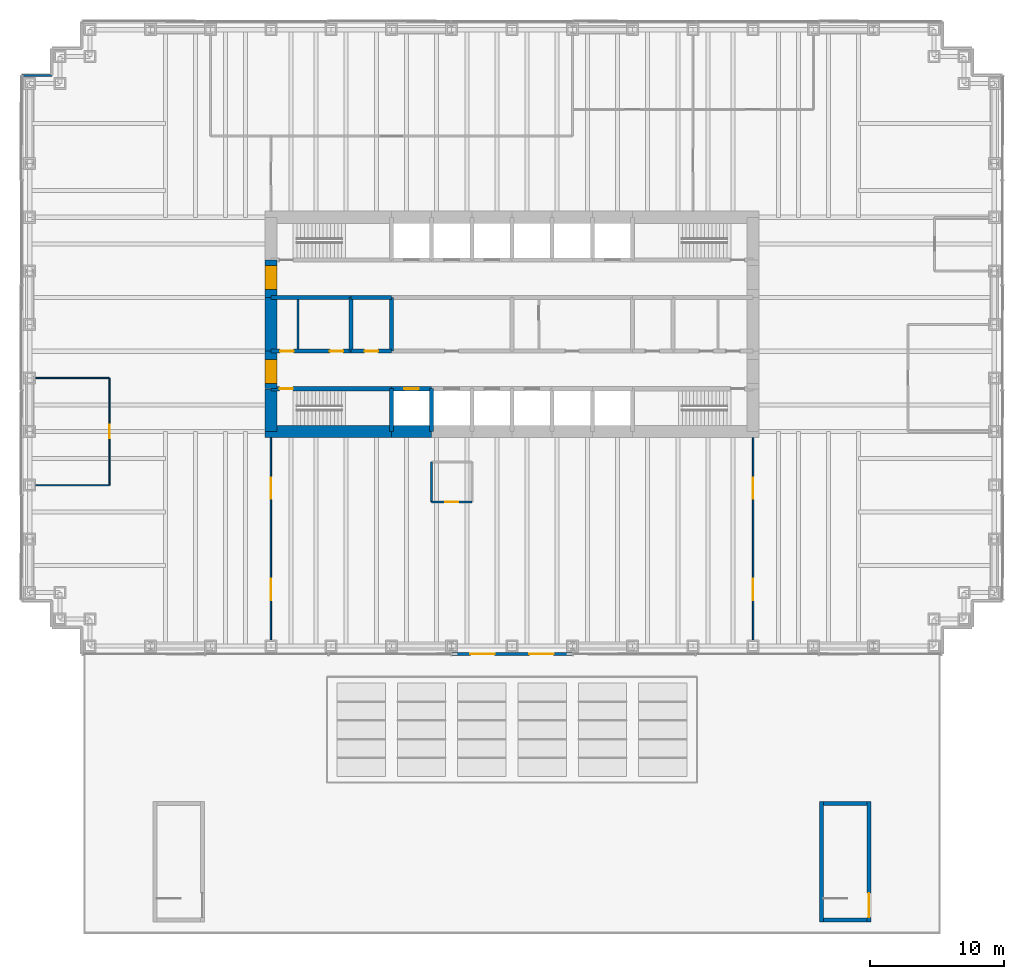
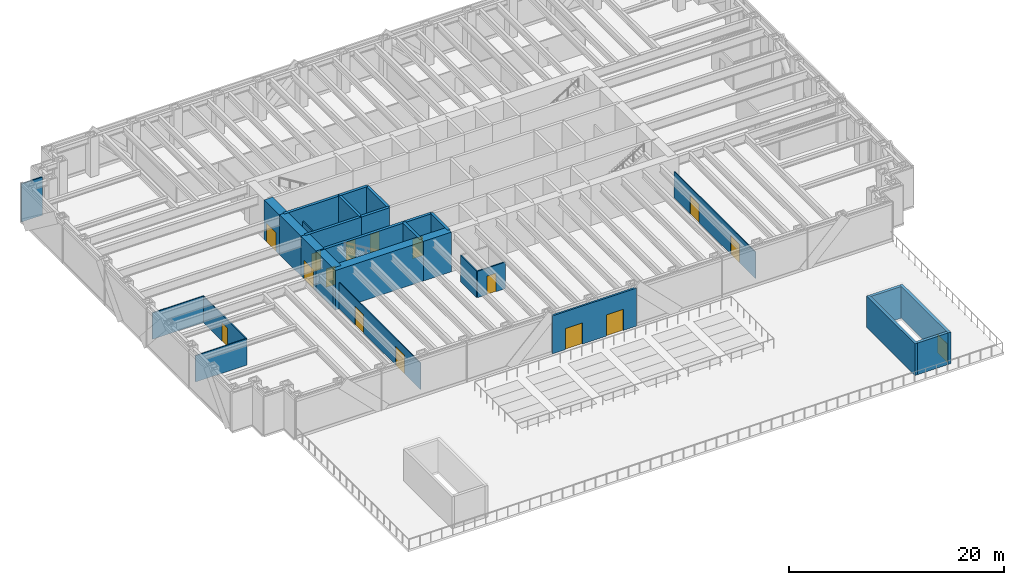
# One storey, part 11 of 15: 30 walls, 16 doors, 16 openings.
"""IFC4 building model written with IfcOpenShell, lengths in metres."""

from ifc_helpers import new_model, si_unit, direction, frame, frame_2d, origin, place, context, subcontext, project, spatial, rectangle, extrude, material, layer, layer_set, type_object, element, fill, save


model = new_model("IFC4")

# Units and contexts
model_context = context("Model", 3, precision=1e-05, world=origin(), true_north=direction((0.0, 1.0)))
body_context = subcontext(model_context, "Body", "Model", "MODEL_VIEW")
ifc_project = project(units=[si_unit("LENGTHUNIT", "METRE"), si_unit("AREAUNIT", "SQUARE_METRE"), si_unit("VOLUMEUNIT", "CUBIC_METRE"), si_unit("PLANEANGLEUNIT", "RADIAN"), si_unit("MASSUNIT", "GRAM", prefix="KILO")], contexts=[model_context])

# Site, building, storey
site_placement = place(None, origin())
site = spatial("IfcSite", under=ifc_project, at=site_placement, CompositionType="ELEMENT")
building_placement = place(site_placement, origin())
building = spatial("IfcBuilding", under=site, at=building_placement, Name="Rheinbord Bourse Tower", CompositionType="ELEMENT")
storey_placement = place(building_placement, frame((0.0, 0.0, 23.0)))
storey = spatial("IfcBuildingStorey", under=building, at=storey_placement, Name="L04", CompositionType="ELEMENT", Elevation=23.0)

# Wall, opening, door
ifc_material_1 = material(Name="Concrete C50/60", Category="concrete")
ifc_layer_1 = layer(ifc_material_1, 0.300048828125)
ifc_layer_set_1 = layer_set([ifc_layer_1], Name="CORE INNER WALL 300")
wall_type_1 = type_object("IfcWallType", Name="CORE INNER WALL 300", PredefinedType="SOLIDWALL", material=ifc_layer_set_1)
wall_1_placement = place(storey_placement, frame((18.0, 19.199951171875, 0.0), z_axis=(0.0, 0.0, 1.0), x_axis=(1.0, 0.0, 0.0)))
wall_1 = element("IfcWall", 1, at=wall_1_placement, inside=storey, type_object=wall_type_1, Name="Core wall A1 L04", PredefinedType="SOLIDWALL", context=body_context, shape_type="SweptSolid", body=[
    extrude(rectangle(XDim=9.0, YDim=0.300048828125, at=frame_2d((4.5, 0.0))), origin(), (0.0, 0.0, 1.0), 4.5),
])
opening_1_placement = place(wall_1_placement, frame((0.64990234375, 0.0, 0.0)))
opening_1 = element("IfcOpeningElement", 2, at=opening_1_placement, cuts=wall_1, Name="Opening 0410", PredefinedType="OPENING", context=body_context, shape_type="SweptSolid", body=[
    extrude(rectangle(XDim=1.0, YDim=2.10009765625, at=frame_2d((0.5, 1.050048828125))), frame((0.0, 0.159912109375, 0.0), z_axis=(0.0, -1.0, 0.0), x_axis=(1.0, 0.0, 0.0)), (0.0, 0.0, 1.0), 0.320068359375),
])
ifc_material_2 = material(Name="Steel door", Category="steel")
door_type_1 = type_object("IfcDoorType", Name="DOOR 1000 EI30", OperationType="SINGLE_SWING_LEFT", PredefinedType="DOOR", material=ifc_material_2)
door_1_placement = place(opening_1_placement, origin())
door_1 = element("IfcDoor", 3, at=door_1_placement, inside=storey, type_object=door_type_1, Name="Stair door ST1 L04", OperationType="SINGLE_SWING_LEFT", OverallHeight=2.10009765625, OverallWidth=1.0, PredefinedType="DOOR", context=body_context, shape_type="SweptSolid", body=[
    extrude(rectangle(XDim=1.0, YDim=2.10009765625, at=frame_2d((0.5, 1.050048828125))), frame((0.0, 0.02490234375, 0.0), z_axis=(0.0, -1.0, 0.0), x_axis=(1.0, 0.0, 0.0)), (0.0, 0.0, 1.0), 0.050048828125),
])
fill(opening_1, door_1)

wall_2_placement = place(storey_placement, frame((27.0, 19.199951171875, 0.0), z_axis=(0.0, 0.0, 1.0), x_axis=(1.0, 0.0, 0.0)))
wall_2 = element("IfcWall", 4, at=wall_2_placement, inside=storey, type_object=wall_type_1, Name="Core wall A2 L04", PredefinedType="SOLIDWALL", context=body_context, shape_type="SweptSolid", body=[
    extrude(rectangle(XDim=3.0, YDim=0.300048828125, at=frame_2d((1.5, 0.0))), origin(), (0.0, 0.0, 1.0), 4.5),
])
opening_2_placement = place(wall_2_placement, frame((0.949951171875, 0.0, 0.0)))
opening_2 = element("IfcOpeningElement", 5, at=opening_2_placement, cuts=wall_2, Name="Opening FL1", PredefinedType="OPENING", context=body_context, shape_type="SweptSolid", body=[
    extrude(rectangle(XDim=1.10009765625, YDim=2.199951171875, at=frame_2d((0.550048828125, 1.10009765625))), frame((0.0, 0.159912109375, 0.0), z_axis=(0.0, -1.0, 0.0), x_axis=(1.0, 0.0, 0.0)), (0.0, 0.0, 1.0), 0.320068359375),
])
ifc_material_3 = material(Name="Steel landing door", Category="steel")
door_type_2 = type_object("IfcDoorType", Name="LIFT LANDING DOOR 1100", OperationType="DOUBLE_DOOR_SLIDING", PredefinedType="USERDEFINED", material=ifc_material_3)
door_2_placement = place(opening_2_placement, origin())
door_2 = element("IfcDoor", 6, at=door_2_placement, inside=storey, type_object=door_type_2, Name="Lift landing door FL1 L04", ObjectType="LIFT LANDING DOOR", OperationType="DOUBLE_DOOR_SLIDING", OverallHeight=2.199951171875, OverallWidth=1.10009765625, PredefinedType="USERDEFINED", context=body_context, shape_type="SweptSolid", body=[
    extrude(rectangle(XDim=1.10009765625, YDim=2.199951171875, at=frame_2d((0.550048828125, 1.10009765625))), frame((0.0, 0.02490234375, 0.0), z_axis=(0.0, -1.0, 0.0), x_axis=(1.0, 0.0, 0.0)), (0.0, 0.0, 1.0), 0.050048828125),
])
fill(opening_2, door_2)

# Wall, openings, doors
wall_3_placement = place(storey_placement, frame((18.0, 22.0, 0.0), z_axis=(0.0, 0.0, 1.0), x_axis=(1.0, 0.0, 0.0)))
wall_3 = element("IfcWall", 7, at=wall_3_placement, inside=storey, type_object=wall_type_1, Name="Core wall C1 L04", PredefinedType="SOLIDWALL", context=body_context, shape_type="SweptSolid", body=[
    extrude(rectangle(XDim=6.0, YDim=0.300048828125, at=frame_2d((3.0, 0.0))), origin(), (0.0, 0.0, 1.0), 4.5),
])
opening_3_placement = place(wall_3_placement, frame((4.39990234375, 0.0, 0.0)))
opening_3 = element("IfcOpeningElement", 8, at=opening_3_placement, cuts=wall_3, Name="Opening 04R1", PredefinedType="OPENING", context=body_context, shape_type="SweptSolid", body=[
    extrude(rectangle(XDim=1.0, YDim=2.10009765625, at=frame_2d((0.5, 1.050048828125))), frame((0.0, 0.159912109375, 0.0), z_axis=(0.0, -1.0, 0.0), x_axis=(1.0, 0.0, 0.0)), (0.0, 0.0, 1.0), 0.320068359375),
])
opening_4_placement = place(wall_3_placement, frame((0.699951171875, 0.0, 0.0)))
opening_4 = element("IfcOpeningElement", 9, at=opening_4_placement, cuts=wall_3, Name="Opening 04R9", PredefinedType="OPENING", context=body_context, shape_type="SweptSolid", body=[
    extrude(rectangle(XDim=1.0, YDim=2.10009765625, at=frame_2d((0.5, 1.050048828125))), frame((0.0, 0.159912109375, 0.0), z_axis=(0.0, -1.0, 0.0), x_axis=(1.0, 0.0, 0.0)), (0.0, 0.0, 1.0), 0.320068359375),
])
door_3_placement = place(opening_4_placement, origin())
door_3 = element("IfcDoor", 10, at=door_3_placement, inside=storey, type_object=door_type_1, Name="Staff shower door L04", OperationType="SINGLE_SWING_LEFT", OverallHeight=2.10009765625, OverallWidth=1.0, PredefinedType="DOOR", context=body_context, shape_type="SweptSolid", body=[
    extrude(rectangle(XDim=1.0, YDim=2.10009765625, at=frame_2d((0.5, 1.050048828125))), frame((0.0, 0.02490234375, 0.0), z_axis=(0.0, -1.0, 0.0), x_axis=(1.0, 0.0, 0.0)), (0.0, 0.0, 1.0), 0.050048828125),
])
fill(opening_4, door_3)
ifc_material_4 = material(Name="Timber door", Category="wood")
door_type_3 = type_object("IfcDoorType", Name="DOOR 1000 WC", OperationType="SINGLE_SWING_LEFT", PredefinedType="DOOR", material=ifc_material_4)
door_4_placement = place(opening_3_placement, origin())
door_4 = element("IfcDoor", 11, at=door_4_placement, inside=storey, type_object=door_type_3, Name="WC men door L04", OperationType="SINGLE_SWING_RIGHT", OverallHeight=2.10009765625, OverallWidth=1.0, PredefinedType="DOOR", context=body_context, shape_type="SweptSolid", body=[
    extrude(rectangle(XDim=1.0, YDim=2.10009765625, at=frame_2d((0.5, 1.050048828125))), frame((0.0, 0.02490234375, 0.0), z_axis=(0.0, -1.0, 0.0), x_axis=(1.0, 0.0, 0.0)), (0.0, 0.0, 1.0), 0.050048828125),
])
fill(opening_3, door_4)

# Wall, opening, door
wall_4_placement = place(storey_placement, frame((24.0, 22.0, 0.0), z_axis=(0.0, 0.0, 1.0), x_axis=(1.0, 0.0, 0.0)))
wall_4 = element("IfcWall", 12, at=wall_4_placement, inside=storey, type_object=wall_type_1, Name="Core wall C2 L04", PredefinedType="SOLIDWALL", context=body_context, shape_type="SweptSolid", body=[
    extrude(rectangle(XDim=3.0, YDim=0.300048828125, at=frame_2d((1.5, 0.0))), origin(), (0.0, 0.0, 1.0), 4.5),
])
opening_5_placement = place(wall_4_placement, frame((1.0, 0.0, 0.0)))
opening_5 = element("IfcOpeningElement", 13, at=opening_5_placement, cuts=wall_4, Name="Opening 04R2", PredefinedType="OPENING", context=body_context, shape_type="SweptSolid", body=[
    extrude(rectangle(XDim=1.0, YDim=2.10009765625, at=frame_2d((0.5, 1.050048828125))), frame((0.0, 0.159912109375, 0.0), z_axis=(0.0, -1.0, 0.0), x_axis=(1.0, 0.0, 0.0)), (0.0, 0.0, 1.0), 0.320068359375),
])
door_5_placement = place(opening_5_placement, origin())
door_5 = element("IfcDoor", 14, at=door_5_placement, inside=storey, type_object=door_type_3, Name="Shower and accessible WC door L04", OperationType="SINGLE_SWING_LEFT", OverallHeight=2.10009765625, OverallWidth=1.0, PredefinedType="DOOR", context=body_context, shape_type="SweptSolid", body=[
    extrude(rectangle(XDim=1.0, YDim=2.10009765625, at=frame_2d((0.5, 1.050048828125))), frame((0.0, 0.02490234375, 0.0), z_axis=(0.0, -1.0, 0.0), x_axis=(1.0, 0.0, 0.0)), (0.0, 0.0, 1.0), 0.050048828125),
])
fill(opening_5, door_5)

# Walls
wall_5_placement = place(storey_placement, frame((18.0, 26.0, 0.0), z_axis=(0.0, 0.0, 1.0), x_axis=(1.0, 0.0, 0.0)))
element("IfcWall", 15, at=wall_5_placement, inside=storey, type_object=wall_type_1, Name="Core wall D1 L04", PredefinedType="SOLIDWALL", context=body_context, shape_type="SweptSolid", body=[
    extrude(rectangle(XDim=6.0, YDim=0.300048828125, at=frame_2d((3.0, 0.0))), origin(), (0.0, 0.0, 1.0), 4.5),
])
wall_6_placement = place(storey_placement, frame((24.0, 26.0, 0.0), z_axis=(0.0, 0.0, 1.0), x_axis=(1.0, 0.0, 0.0)))
element("IfcWall", 16, at=wall_6_placement, inside=storey, type_object=wall_type_1, Name="Core wall D2 L04", PredefinedType="SOLIDWALL", context=body_context, shape_type="SweptSolid", body=[
    extrude(rectangle(XDim=3.0, YDim=0.300048828125, at=frame_2d((1.5, 0.0))), origin(), (0.0, 0.0, 1.0), 4.5),
])
for number, where, z_axis, x_axis, name in (
    (17, (27.0, 16.0, 0.0), (0.0, 0.0, 1.0), (0.0, 1.0, 0.0), "Core wall SX27 L04"),
    (18, (30.0, 16.0, 0.0), (0.0, 0.0, 1.0), (0.0, 1.0, 0.0), "Core wall SX30 L04"),
):
    element("IfcWall", number, at=place(storey_placement, frame(where, z_axis=z_axis, x_axis=x_axis)), inside=storey, type_object=wall_type_1, Name=name, PredefinedType="SOLIDWALL", context=body_context, shape_type="SweptSolid", body=[
        extrude(rectangle(XDim=3.199951171875, YDim=0.300048828125, at=frame_2d((1.60009765625, 0.0))), origin(), (0.0, 0.0, 1.0), 4.5),
    ])
for number, where, z_axis, x_axis, name in (
    (19, (24.0, 22.0, 0.0), (0.0, 0.0, 1.0), (0.0, 1.0, 0.0), "Core wall MX24 L04"),
    (20, (27.0, 22.0, 0.0), (0.0, 0.0, 1.0), (0.0, 1.0, 0.0), "Core wall MX27 L04"),
):
    element("IfcWall", number, at=place(storey_placement, frame(where, z_axis=z_axis, x_axis=x_axis)), inside=storey, type_object=wall_type_1, Name=name, PredefinedType="SOLIDWALL", context=body_context, shape_type="SweptSolid", body=[
        extrude(rectangle(XDim=4.0, YDim=0.300048828125, at=frame_2d((2.0, 0.0))), origin(), (0.0, 0.0, 1.0), 4.5),
    ])
ifc_material_5 = material(Name="Gypsum board fire partition", Category="gypsum board")
ifc_layer_2 = layer(ifc_material_5, 0.14990234375)
ifc_layer_set_2 = layer_set([ifc_layer_2], Name="CORE PARTITION 150 EI30")
wall_type_2 = type_object("IfcWallType", Name="CORE PARTITION 150 EI30", PredefinedType="PARTITIONING", material=ifc_layer_set_2)
wall_7_placement = place(storey_placement, frame((20.02490234375, 22.14990234375, 0.0), z_axis=(0.0, 0.0, 1.0), x_axis=(0.0, 1.0, 0.0)))
element("IfcWall", 21, at=wall_7_placement, inside=storey, type_object=wall_type_2, Name="Core partition L04-2", PredefinedType="PARTITIONING", context=body_context, shape_type="SweptSolid", body=[
    extrude(rectangle(XDim=3.7001953125, YDim=0.14990234375, at=frame_2d((1.85009765625, 0.0))), origin(), (0.0, 0.0, 1.0), 3.0),
])
ifc_material_6 = material(Name="Concrete C50/60", Category="concrete")
ifc_layer_3 = layer(ifc_material_6, 0.89990234375)
ifc_layer_set_3 = layer_set([ifc_layer_3], Name="CORE WALL 900")
wall_type_3 = type_object("IfcWallType", Name="CORE WALL 900", PredefinedType="SHEAR", material=ifc_layer_set_3)
wall_8_placement = place(storey_placement, frame((17.550048828125, 16.0, 0.0), z_axis=(0.0, 0.0, 1.0), x_axis=(1.0, 0.0, 0.0)))
element("IfcWall", 22, at=wall_8_placement, inside=storey, type_object=wall_type_3, Name="Core wall S1 L04", PredefinedType="SHEAR", context=body_context, shape_type="SweptSolid", body=[
    extrude(rectangle(XDim=9.449951171875, YDim=0.89990234375, at=frame_2d((4.72509765625, 0.0))), origin(), (0.0, 0.0, 1.0), 4.5),
])
wall_9_placement = place(storey_placement, frame((27.0, 16.0, 0.0), z_axis=(0.0, 0.0, 1.0), x_axis=(1.0, 0.0, 0.0)))
element("IfcWall", 23, at=wall_9_placement, inside=storey, type_object=wall_type_3, Name="Core wall S2 L04", PredefinedType="SHEAR", context=body_context, shape_type="SweptSolid", body=[
    extrude(rectangle(XDim=3.0, YDim=0.89990234375, at=frame_2d((1.5, 0.0))), origin(), (0.0, 0.0, 1.0), 4.5),
])

# Wall, opening, door
wall_10_placement = place(storey_placement, frame((18.0, 28.800048828125, 0.0), z_axis=(0.0, 0.0, 1.0), x_axis=(0.0, -1.0, 0.0)))
wall_10 = element("IfcWall", 24, at=wall_10_placement, inside=storey, type_object=wall_type_3, Name="Core wall W2 L04", PredefinedType="SHEAR", context=body_context, shape_type="SweptSolid", body=[
    extrude(rectangle(XDim=2.800048828125, YDim=0.89990234375, at=frame_2d((1.39990234375, 0.0))), origin(), (0.0, 0.0, 1.0), 4.5),
])
opening_6_placement = place(wall_10_placement, frame((0.39990234375, 0.0, 0.0)))
opening_6 = element("IfcOpeningElement", 25, at=opening_6_placement, cuts=wall_10, Name="Opening 04L2", PredefinedType="OPENING", context=body_context, shape_type="SweptSolid", body=[
    extrude(rectangle(XDim=1.800048828125, YDim=2.10009765625, at=frame_2d((0.89990234375, 1.050048828125))), frame((0.0, 0.4599609375, 0.0), z_axis=(0.0, -1.0, 0.0), x_axis=(1.0, 0.0, 0.0)), (0.0, 0.0, 1.0), 0.919921875),
])
ifc_material_7 = material(Name="Steel door", Category="steel")
door_type_4 = type_object("IfcDoorType", Name="DOOR 1800 EI30 DOUBLE", OperationType="DOUBLE_DOOR_DOUBLE_SWING", PredefinedType="DOOR", material=ifc_material_7)
door_6_placement = place(opening_6_placement, origin())
door_6 = element("IfcDoor", 26, at=door_6_placement, inside=storey, type_object=door_type_4, Name="Lobby door 2 L04", OperationType="SINGLE_SWING_LEFT", OverallHeight=2.10009765625, OverallWidth=1.800048828125, PredefinedType="DOOR", context=body_context, shape_type="SweptSolid", body=[
    extrude(rectangle(XDim=1.800048828125, YDim=2.10009765625, at=frame_2d((0.89990234375, 1.050048828125))), frame((0.0, 0.44970703125, 0.0), z_axis=(0.0, -1.0, 0.0), x_axis=(1.0, 0.0, 0.0)), (0.0, 0.0, 1.0), 0.8994140625),
])
fill(opening_6, door_6)

# Wall
wall_11_placement = place(storey_placement, frame((18.0, 26.0, 0.0), z_axis=(0.0, 0.0, 1.0), x_axis=(0.0, -1.0, 0.0)))
element("IfcWall", 27, at=wall_11_placement, inside=storey, type_object=wall_type_3, Name="Core wall W3 L04", PredefinedType="SHEAR", context=body_context, shape_type="SweptSolid", body=[
    extrude(rectangle(XDim=4.0, YDim=0.89990234375, at=frame_2d((2.0, 0.0))), origin(), (0.0, 0.0, 1.0), 4.5),
])

# Wall, opening, door
wall_12_placement = place(storey_placement, frame((18.0, 22.0, 0.0), z_axis=(0.0, 0.0, 1.0), x_axis=(0.0, -1.0, 0.0)))
wall_12 = element("IfcWall", 28, at=wall_12_placement, inside=storey, type_object=wall_type_3, Name="Core wall W4 L04", PredefinedType="SHEAR", context=body_context, shape_type="SweptSolid", body=[
    extrude(rectangle(XDim=2.800048828125, YDim=0.89990234375, at=frame_2d((1.39990234375, 0.0))), origin(), (0.0, 0.0, 1.0), 4.5),
])
opening_7_placement = place(wall_12_placement, frame((0.60009765625, 0.0, 0.0)))
opening_7 = element("IfcOpeningElement", 29, at=opening_7_placement, cuts=wall_12, Name="Opening 04L1", PredefinedType="OPENING", context=body_context, shape_type="SweptSolid", body=[
    extrude(rectangle(XDim=1.800048828125, YDim=2.10009765625, at=frame_2d((0.89990234375, 1.050048828125))), frame((0.0, 0.4599609375, 0.0), z_axis=(0.0, -1.0, 0.0), x_axis=(1.0, 0.0, 0.0)), (0.0, 0.0, 1.0), 0.919921875),
])
door_7_placement = place(opening_7_placement, origin())
door_7 = element("IfcDoor", 30, at=door_7_placement, inside=storey, type_object=door_type_4, Name="Lobby door 1 L04", OperationType="SINGLE_SWING_LEFT", OverallHeight=2.10009765625, OverallWidth=1.800048828125, PredefinedType="DOOR", context=body_context, shape_type="SweptSolid", body=[
    extrude(rectangle(XDim=1.800048828125, YDim=2.10009765625, at=frame_2d((0.89990234375, 1.050048828125))), frame((0.0, 0.44970703125, 0.0), z_axis=(0.0, -1.0, 0.0), x_axis=(1.0, 0.0, 0.0)), (0.0, 0.0, 1.0), 0.8994140625),
])
fill(opening_7, door_7)

# Walls
wall_13_placement = place(storey_placement, frame((18.0, 19.199951171875, 0.0), z_axis=(0.0, 0.0, 1.0), x_axis=(0.0, -1.0, 0.0)))
element("IfcWall", 31, at=wall_13_placement, inside=storey, type_object=wall_type_3, Name="Core wall W5 L04", PredefinedType="SHEAR", context=body_context, shape_type="SweptSolid", body=[
    extrude(rectangle(XDim=3.199951171875, YDim=0.89990234375, at=frame_2d((1.60009765625, 0.0))), origin(), (0.0, 0.0, 1.0), 4.5),
])
ifc_material_8 = material(Name="Black metal rainscreen panel", Category="aluminium")
ifc_layer_4 = layer(ifc_material_8, 0.14990234375)
ifc_layer_set_4 = layer_set([ifc_layer_4], Name="CORNER PIER CLADDING 150")
wall_type_4 = type_object("IfcWallType", Name="CORNER PIER CLADDING 150", PredefinedType="ELEMENTEDWALL", material=ifc_layer_set_4)
wall_14_placement = place(storey_placement, frame((1.64990234375, 42.60009765625, 0.0), z_axis=(0.0, 0.0, 1.0), x_axis=(-1.0, 0.0, 0.0)))
element("IfcWall", 32, at=wall_14_placement, inside=storey, type_object=wall_type_4, Name="Corner pier cladding L04 17", PredefinedType="ELEMENTEDWALL", context=body_context, shape_type="SweptSolid", body=[
    extrude(rectangle(XDim=2.25, YDim=0.14990234375, at=frame_2d((1.125, 0.0))), origin(), (0.0, 0.0, 1.0), 4.320068359375),
])

# Wall, openings, doors
ifc_material_9 = material(Name="Dark glass and black steel screen", Category="steel")
ifc_layer_5 = layer(ifc_material_9, 0.199951171875)
ifc_layer_set_5 = layer_set([ifc_layer_5], Name="ENTRANCE SCREEN 200")
wall_type_5 = type_object("IfcWallType", Name="ENTRANCE SCREEN 200", PredefinedType="USERDEFINED", material=ifc_layer_set_5)
wall_15_placement = place(storey_placement, frame((31.5, -0.60009765625, 0.0), z_axis=(0.0, 0.0, 1.0), x_axis=(1.0, 0.0, 0.0)))
wall_15 = element("IfcWall", 33, at=wall_15_placement, inside=storey, type_object=wall_type_5, Name="Entrance screen S L04", ObjectType="GLAZED ENTRANCE SCREEN", PredefinedType="USERDEFINED", context=body_context, shape_type="SweptSolid", body=[
    extrude(rectangle(XDim=9.0, YDim=0.199951171875, at=frame_2d((4.5, 0.0))), origin(), (0.0, 0.0, 1.0), 4.320068359375),
])
opening_8_placement = place(wall_15_placement, frame((1.39990234375, 0.0, 0.0)))
opening_8 = element("IfcOpeningElement", 34, at=opening_8_placement, cuts=wall_15, Name="Opening 04ES101", PredefinedType="OPENING", context=body_context, shape_type="SweptSolid", body=[
    extrude(rectangle(XDim=1.800048828125, YDim=2.39990234375, at=frame_2d((0.89990234375, 1.199951171875))), frame((0.0, 0.10986328125, 0.0), z_axis=(0.0, -1.0, 0.0), x_axis=(1.0, 0.0, 0.0)), (0.0, 0.0, 1.0), 0.219970703125),
])
opening_9_placement = place(wall_15_placement, frame((5.800048828125, 0.0, 0.0)))
opening_9 = element("IfcOpeningElement", 35, at=opening_9_placement, cuts=wall_15, Name="Opening 04ES201", PredefinedType="OPENING", context=body_context, shape_type="SweptSolid", body=[
    extrude(rectangle(XDim=1.800048828125, YDim=2.39990234375, at=frame_2d((0.89990234375, 1.199951171875))), frame((0.0, 0.10986328125, 0.0), z_axis=(0.0, -1.0, 0.0), x_axis=(1.0, 0.0, 0.0)), (0.0, 0.0, 1.0), 0.219970703125),
])
ifc_material_10 = material(Name="Dark glass and black steel door", Category="steel")
door_type_5 = type_object("IfcDoorType", Name="ENTRANCE DOOR 1800", OperationType="DOUBLE_DOOR_DOUBLE_SWING", PredefinedType="DOOR", material=ifc_material_10)
door_8_placement = place(opening_8_placement, origin())
door_8 = element("IfcDoor", 36, at=door_8_placement, inside=storey, type_object=door_type_5, Name="Terrace door S", OperationType="SINGLE_SWING_LEFT", OverallHeight=2.39990234375, OverallWidth=1.800048828125, PredefinedType="DOOR", context=body_context, shape_type="SweptSolid", body=[
    extrude(rectangle(XDim=1.800048828125, YDim=2.39990234375, at=frame_2d((0.89990234375, 1.199951171875))), frame((0.0, 0.02490234375, 0.0), z_axis=(0.0, -1.0, 0.0), x_axis=(1.0, 0.0, 0.0)), (0.0, 0.0, 1.0), 0.050048828125),
])
fill(opening_8, door_8)
door_9_placement = place(opening_9_placement, origin())
door_9 = element("IfcDoor", 37, at=door_9_placement, inside=storey, type_object=door_type_5, Name="Terrace door S", OperationType="SINGLE_SWING_LEFT", OverallHeight=2.39990234375, OverallWidth=1.800048828125, PredefinedType="DOOR", context=body_context, shape_type="SweptSolid", body=[
    extrude(rectangle(XDim=1.800048828125, YDim=2.39990234375, at=frame_2d((0.89990234375, 1.199951171875))), frame((0.0, 0.02490234375, 0.0), z_axis=(0.0, -1.0, 0.0), x_axis=(1.0, 0.0, 0.0)), (0.0, 0.0, 1.0), 0.050048828125),
])
fill(opening_9, door_9)

# Walls
ifc_material_11 = material(Name="Toughened laminated glass partition", Category="glass")
ifc_layer_6 = layer(ifc_material_11, 0.10009765625)
ifc_layer_set_6 = layer_set([ifc_layer_6], Name="GLAZED PARTITION 100")
wall_type_6 = type_object("IfcWallType", Name="GLAZED PARTITION 100", PredefinedType="PARTITIONING", material=ifc_layer_set_6)
for number, where, z_axis, x_axis, name in (
    (38, (0.449951171875, 12.0, 0.0), (0.0, 0.0, 1.0), (1.0, 0.0, 0.0), "Partition L04-02"),
    (39, (0.449951171875, 20.0, 0.0), (0.0, 0.0, 1.0), (1.0, 0.0, 0.0), "Partition L04-05"),
):
    element("IfcWall", number, at=place(storey_placement, frame(where, z_axis=z_axis, x_axis=x_axis)), inside=storey, type_object=wall_type_6, Name=name, PredefinedType="PARTITIONING", context=body_context, shape_type="SweptSolid", body=[
        extrude(rectangle(XDim=5.5, YDim=0.10009765625, at=frame_2d((2.75, 0.0))), origin(), (0.0, 0.0, 1.0), 3.0),
    ])

# Wall, opening, door
wall_16_placement = place(storey_placement, frame((5.949951171875, 12.0, 0.0), z_axis=(0.0, 0.0, 1.0), x_axis=(0.0, 1.0, 0.0)))
wall_16 = element("IfcWall", 40, at=wall_16_placement, inside=storey, type_object=wall_type_6, Name="Partition L04-11", PredefinedType="PARTITIONING", context=body_context, shape_type="SweptSolid", body=[
    extrude(rectangle(XDim=8.0, YDim=0.10009765625, at=frame_2d((4.0, 0.0))), origin(), (0.0, 0.0, 1.0), 3.0),
])
opening_10_placement = place(wall_16_placement, frame((3.5, 0.0, 0.0)))
opening_10 = element("IfcOpeningElement", 41, at=opening_10_placement, cuts=wall_16, Name="Opening 04D02", PredefinedType="OPENING", context=body_context, shape_type="SweptSolid", body=[
    extrude(rectangle(XDim=1.0, YDim=2.10009765625, at=frame_2d((0.5, 1.050048828125))), frame((0.0, 0.06005859375, 0.0), z_axis=(0.0, -1.0, 0.0), x_axis=(1.0, 0.0, 0.0)), (0.0, 0.0, 1.0), 0.1201171875),
])
ifc_material_12 = material(Name="Timber door", Category="wood")
door_type_6 = type_object("IfcDoorType", Name="ROOM DOOR 1000", OperationType="SINGLE_SWING_LEFT", PredefinedType="DOOR", material=ifc_material_12)
door_10_placement = place(opening_10_placement, origin())
door_10 = element("IfcDoor", 42, at=door_10_placement, inside=storey, type_object=door_type_6, Name="Meeting room door L04", OperationType="SINGLE_SWING_LEFT", OverallHeight=2.10009765625, OverallWidth=1.0, PredefinedType="DOOR", context=body_context, shape_type="SweptSolid", body=[
    extrude(rectangle(XDim=1.0, YDim=2.10009765625, at=frame_2d((0.5, 1.050048828125))), frame((0.0, 0.02490234375, 0.0), z_axis=(0.0, -1.0, 0.0), x_axis=(1.0, 0.0, 0.0)), (0.0, 0.0, 1.0), 0.050048828125),
])
fill(opening_10, door_10)

# Wall, openings, doors
wall_17_placement = place(storey_placement, frame((18.0, 0.449951171875, 0.0), z_axis=(0.0, 0.0, 1.0), x_axis=(0.0, 1.0, 0.0)))
wall_17 = element("IfcWall", 43, at=wall_17_placement, inside=storey, type_object=wall_type_6, Name="Partition L04-13", PredefinedType="PARTITIONING", context=body_context, shape_type="SweptSolid", body=[
    extrude(rectangle(XDim=15.10009765625, YDim=0.10009765625, at=frame_2d((7.550048828125, 0.0))), origin(), (0.0, 0.0, 1.0), 3.0),
])
opening_11_placement = place(wall_17_placement, frame((2.97509765625, 0.0, 0.0)))
opening_11 = element("IfcOpeningElement", 44, at=opening_11_placement, cuts=wall_17, Name="Opening 04D08", PredefinedType="OPENING", context=body_context, shape_type="SweptSolid", body=[
    extrude(rectangle(XDim=1.60009765625, YDim=2.10009765625, at=frame_2d((0.800048828125, 1.050048828125))), frame((0.0, 0.06005859375, 0.0), z_axis=(0.0, -1.0, 0.0), x_axis=(1.0, 0.0, 0.0)), (0.0, 0.0, 1.0), 0.1201171875),
])
opening_12_placement = place(wall_17_placement, frame((10.52490234375, 0.0, 0.0)))
opening_12 = element("IfcOpeningElement", 45, at=opening_12_placement, cuts=wall_17, Name="Opening 04D09", PredefinedType="OPENING", context=body_context, shape_type="SweptSolid", body=[
    extrude(rectangle(XDim=1.60009765625, YDim=2.10009765625, at=frame_2d((0.800048828125, 1.050048828125))), frame((0.0, 0.06005859375, 0.0), z_axis=(0.0, -1.0, 0.0), x_axis=(1.0, 0.0, 0.0)), (0.0, 0.0, 1.0), 0.1201171875),
])
ifc_material_13 = material(Name="Timber door", Category="wood")
door_type_7 = type_object("IfcDoorType", Name="DOUBLE ROOM DOOR 1600", OperationType="DOUBLE_DOOR_DOUBLE_SWING", PredefinedType="DOOR", material=ifc_material_13)
door_11_placement = place(opening_11_placement, origin())
door_11 = element("IfcDoor", 46, at=door_11_placement, inside=storey, type_object=door_type_7, Name="Open area door L04", OperationType="SINGLE_SWING_LEFT", OverallHeight=2.10009765625, OverallWidth=1.60009765625, PredefinedType="DOOR", context=body_context, shape_type="SweptSolid", body=[
    extrude(rectangle(XDim=1.60009765625, YDim=2.10009765625, at=frame_2d((0.800048828125, 1.050048828125))), frame((0.0, 0.02490234375, 0.0), z_axis=(0.0, -1.0, 0.0), x_axis=(1.0, 0.0, 0.0)), (0.0, 0.0, 1.0), 0.050048828125),
])
fill(opening_11, door_11)
door_12_placement = place(opening_12_placement, origin())
door_12 = element("IfcDoor", 47, at=door_12_placement, inside=storey, type_object=door_type_7, Name="Open area door L04", OperationType="SINGLE_SWING_LEFT", OverallHeight=2.10009765625, OverallWidth=1.60009765625, PredefinedType="DOOR", context=body_context, shape_type="SweptSolid", body=[
    extrude(rectangle(XDim=1.60009765625, YDim=2.10009765625, at=frame_2d((0.800048828125, 1.050048828125))), frame((0.0, 0.02490234375, 0.0), z_axis=(0.0, -1.0, 0.0), x_axis=(1.0, 0.0, 0.0)), (0.0, 0.0, 1.0), 0.050048828125),
])
fill(opening_12, door_12)

wall_18_placement = place(storey_placement, frame((54.0, 0.449951171875, 0.0), z_axis=(0.0, 0.0, 1.0), x_axis=(0.0, 1.0, 0.0)))
wall_18 = element("IfcWall", 48, at=wall_18_placement, inside=storey, type_object=wall_type_6, Name="Partition L04-19", PredefinedType="PARTITIONING", context=body_context, shape_type="SweptSolid", body=[
    extrude(rectangle(XDim=15.10009765625, YDim=0.10009765625, at=frame_2d((7.550048828125, 0.0))), origin(), (0.0, 0.0, 1.0), 3.0),
])
opening_13_placement = place(wall_18_placement, frame((2.97509765625, 0.0, 0.0)))
opening_13 = element("IfcOpeningElement", 49, at=opening_13_placement, cuts=wall_18, Name="Opening 04D11", PredefinedType="OPENING", context=body_context, shape_type="SweptSolid", body=[
    extrude(rectangle(XDim=1.60009765625, YDim=2.10009765625, at=frame_2d((0.800048828125, 1.050048828125))), frame((0.0, 0.06005859375, 0.0), z_axis=(0.0, -1.0, 0.0), x_axis=(1.0, 0.0, 0.0)), (0.0, 0.0, 1.0), 0.1201171875),
])
opening_14_placement = place(wall_18_placement, frame((10.52490234375, 0.0, 0.0)))
opening_14 = element("IfcOpeningElement", 50, at=opening_14_placement, cuts=wall_18, Name="Opening 04D12", PredefinedType="OPENING", context=body_context, shape_type="SweptSolid", body=[
    extrude(rectangle(XDim=1.60009765625, YDim=2.10009765625, at=frame_2d((0.800048828125, 1.050048828125))), frame((0.0, 0.06005859375, 0.0), z_axis=(0.0, -1.0, 0.0), x_axis=(1.0, 0.0, 0.0)), (0.0, 0.0, 1.0), 0.1201171875),
])
door_13_placement = place(opening_13_placement, origin())
door_13 = element("IfcDoor", 51, at=door_13_placement, inside=storey, type_object=door_type_7, Name="Open area door L04", OperationType="SINGLE_SWING_LEFT", OverallHeight=2.10009765625, OverallWidth=1.60009765625, PredefinedType="DOOR", context=body_context, shape_type="SweptSolid", body=[
    extrude(rectangle(XDim=1.60009765625, YDim=2.10009765625, at=frame_2d((0.800048828125, 1.050048828125))), frame((0.0, 0.02490234375, 0.0), z_axis=(0.0, -1.0, 0.0), x_axis=(1.0, 0.0, 0.0)), (0.0, 0.0, 1.0), 0.050048828125),
])
fill(opening_13, door_13)
door_14_placement = place(opening_14_placement, origin())
door_14 = element("IfcDoor", 52, at=door_14_placement, inside=storey, type_object=door_type_7, Name="Open area door L04", OperationType="SINGLE_SWING_LEFT", OverallHeight=2.10009765625, OverallWidth=1.60009765625, PredefinedType="DOOR", context=body_context, shape_type="SweptSolid", body=[
    extrude(rectangle(XDim=1.60009765625, YDim=2.10009765625, at=frame_2d((0.800048828125, 1.050048828125))), frame((0.0, 0.02490234375, 0.0), z_axis=(0.0, -1.0, 0.0), x_axis=(1.0, 0.0, 0.0)), (0.0, 0.0, 1.0), 0.050048828125),
])
fill(opening_14, door_14)

# Wall, opening, door
ifc_material_14 = material(Name="Gypsum board partition", Category="gypsum board")
ifc_layer_7 = layer(ifc_material_14, 0.14990234375)
ifc_layer_set_7 = layer_set([ifc_layer_7], Name="PARTITION 150")
wall_type_7 = type_object("IfcWallType", Name="PARTITION 150", PredefinedType="PARTITIONING", material=ifc_layer_set_7)
wall_19_placement = place(storey_placement, frame((30.0, 10.75, 0.0), z_axis=(0.0, 0.0, 1.0), x_axis=(1.0, 0.0, 0.0)))
wall_19 = element("IfcWall", 53, at=wall_19_placement, inside=storey, type_object=wall_type_7, Name="Partition L04-01", PredefinedType="PARTITIONING", context=body_context, shape_type="SweptSolid", body=[
    extrude(rectangle(XDim=3.0, YDim=0.14990234375, at=frame_2d((1.5, 0.0))), origin(), (0.0, 0.0, 1.0), 3.0),
])
opening_15_placement = place(wall_19_placement, frame((1.0, 0.0, 0.0)))
opening_15 = element("IfcOpeningElement", 54, at=opening_15_placement, cuts=wall_19, Name="Opening 04D01", PredefinedType="OPENING", context=body_context, shape_type="SweptSolid", body=[
    extrude(rectangle(XDim=1.0, YDim=2.10009765625, at=frame_2d((0.5, 1.050048828125))), frame((0.0, 0.0849609375, 0.0), z_axis=(0.0, -1.0, 0.0), x_axis=(1.0, 0.0, 0.0)), (0.0, 0.0, 1.0), 0.169921875),
])
door_15_placement = place(opening_15_placement, origin())
door_15 = element("IfcDoor", 55, at=door_15_placement, inside=storey, type_object=door_type_6, Name="Print room door L04", OperationType="SINGLE_SWING_LEFT", OverallHeight=2.10009765625, OverallWidth=1.0, PredefinedType="DOOR", context=body_context, shape_type="SweptSolid", body=[
    extrude(rectangle(XDim=1.0, YDim=2.10009765625, at=frame_2d((0.5, 1.050048828125))), frame((0.0, 0.02490234375, 0.0), z_axis=(0.0, -1.0, 0.0), x_axis=(1.0, 0.0, 0.0)), (0.0, 0.0, 1.0), 0.050048828125),
])
fill(opening_15, door_15)

# Walls
wall_20_placement = place(storey_placement, frame((30.0, 10.75, 0.0), z_axis=(0.0, 0.0, 1.0), x_axis=(0.0, 1.0, 0.0)))
element("IfcWall", 56, at=wall_20_placement, inside=storey, type_object=wall_type_7, Name="Partition L04-15", PredefinedType="PARTITIONING", context=body_context, shape_type="SweptSolid", body=[
    extrude(rectangle(XDim=3.0, YDim=0.14990234375, at=frame_2d((1.5, 0.0))), origin(), (0.0, 0.0, 1.0), 3.0),
])
ifc_material_15 = material(Name="Concrete C50/60", Category="concrete")
ifc_layer_8 = layer(ifc_material_15, 0.300048828125)
ifc_layer_set_8 = layer_set([ifc_layer_8], Name="PODIUM STAIR WALL 300")
wall_type_8 = type_object("IfcWallType", Name="PODIUM STAIR WALL 300", PredefinedType="SOLIDWALL", material=ifc_layer_set_8)
wall_21_placement = place(storey_placement, frame((59.10009765625, -20.60009765625, 0.0), z_axis=(0.0, 0.0, 1.0), x_axis=(0.0, 1.0, 0.0)))
element("IfcWall", 57, at=wall_21_placement, inside=storey, type_object=wall_type_8, Name="Stair wall ST6 W L04", PredefinedType="SOLIDWALL", context=body_context, shape_type="SweptSolid", body=[
    extrude(rectangle(XDim=9.0, YDim=0.300048828125, at=frame_2d((4.5, 0.0))), origin(), (0.0, 0.0, 1.0), 3.60009765625),
])

# Wall, opening, door
wall_22_placement = place(storey_placement, frame((62.64990234375, -20.60009765625, 0.0), z_axis=(0.0, 0.0, 1.0), x_axis=(0.0, 1.0, 0.0)))
wall_22 = element("IfcWall", 58, at=wall_22_placement, inside=storey, type_object=wall_type_8, Name="Stair wall ST6 E L04", PredefinedType="SOLIDWALL", context=body_context, shape_type="SweptSolid", body=[
    extrude(rectangle(XDim=9.0, YDim=0.300048828125, at=frame_2d((4.5, 0.0))), origin(), (0.0, 0.0, 1.0), 3.60009765625),
])
opening_16_placement = place(wall_22_placement, frame((0.35009765625, 0.0, 0.0)))
opening_16 = element("IfcOpeningElement", 59, at=opening_16_placement, cuts=wall_22, Name="Opening 0461", PredefinedType="OPENING", context=body_context, shape_type="SweptSolid", body=[
    extrude(rectangle(XDim=1.800048828125, YDim=2.10009765625, at=frame_2d((0.89990234375, 1.050048828125))), frame((0.0, 0.159912109375, 0.0), z_axis=(0.0, -1.0, 0.0), x_axis=(1.0, 0.0, 0.0)), (0.0, 0.0, 1.0), 0.320068359375),
])
door_16_placement = place(opening_16_placement, origin())
door_16 = element("IfcDoor", 60, at=door_16_placement, inside=storey, type_object=door_type_4, Name="Stair door ST6 L04", OperationType="SINGLE_SWING_LEFT", OverallHeight=2.10009765625, OverallWidth=1.800048828125, PredefinedType="DOOR", context=body_context, shape_type="SweptSolid", body=[
    extrude(rectangle(XDim=1.800048828125, YDim=2.10009765625, at=frame_2d((0.89990234375, 1.050048828125))), frame((0.0, 0.02490234375, 0.0), z_axis=(0.0, -1.0, 0.0), x_axis=(1.0, 0.0, 0.0)), (0.0, 0.0, 1.0), 0.050048828125),
])
fill(opening_16, door_16)

# Walls
for number, where, z_axis, x_axis, name in (
    (61, (59.25, -20.449951171875, 0.0), (0.0, 0.0, 1.0), (1.0, 0.0, 0.0), "Stair wall ST6 S L04"),
    (62, (59.25, -11.75, 0.0), (0.0, 0.0, 1.0), (1.0, 0.0, 0.0), "Stair wall ST6 N L04"),
):
    element("IfcWall", number, at=place(storey_placement, frame(where, z_axis=z_axis, x_axis=x_axis)), inside=storey, type_object=wall_type_8, Name=name, PredefinedType="SOLIDWALL", context=body_context, shape_type="SweptSolid", body=[
        extrude(rectangle(XDim=3.25, YDim=0.300048828125, at=frame_2d((1.625, 0.0))), origin(), (0.0, 0.0, 1.0), 3.60009765625),
    ])

save(model, "model.ifc")
